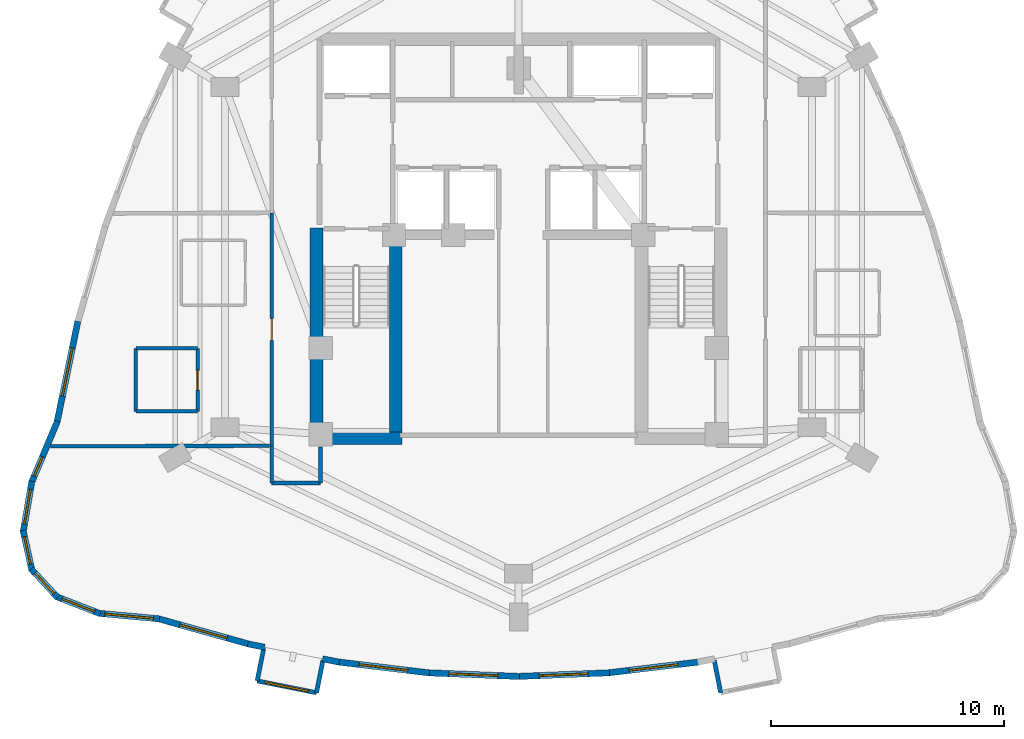
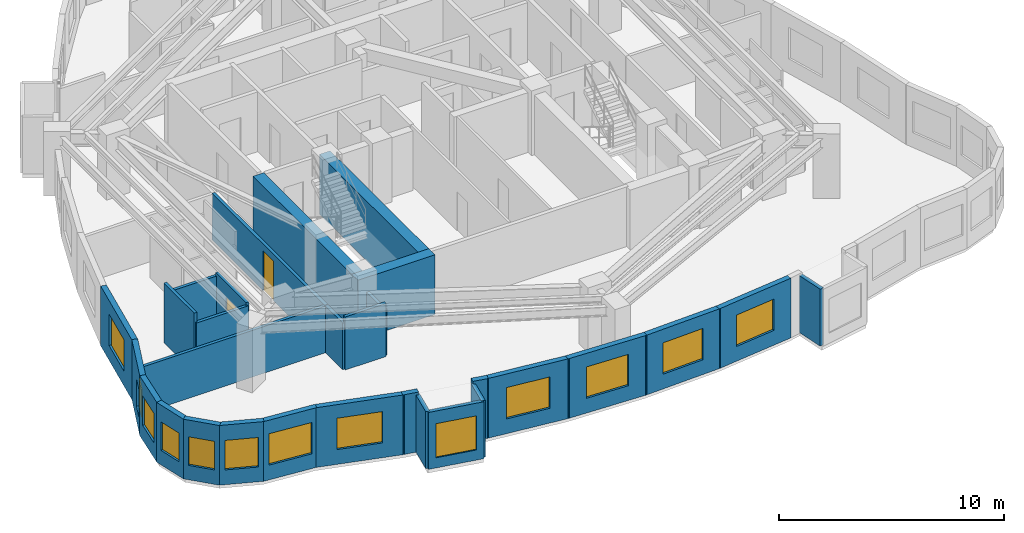
# One storey, part 5 of 10: 30 walls, 13 windows, 2 doors, 15 openings.
"""IFC4 building model written with IfcOpenShell, lengths in metres."""

from ifc_helpers import new_model, si_unit, direction, frame, frame_2d, origin, place, context, subcontext, project, spatial, rectangle, extrude, material, layer, layer_set, type_object, element, fill, save


model = new_model("IFC4")

# Units and contexts
model_context = context("Model", 3, precision=1e-05, world=origin(), true_north=direction((0.0, 1.0)))
body_context = subcontext(model_context, "Body", "Model", "MODEL_VIEW")
ifc_project = project(units=[si_unit("LENGTHUNIT", "METRE"), si_unit("AREAUNIT", "SQUARE_METRE"), si_unit("VOLUMEUNIT", "CUBIC_METRE"), si_unit("PLANEANGLEUNIT", "RADIAN"), si_unit("MASSUNIT", "GRAM", prefix="KILO")], contexts=[model_context])

# Site, building, storey
site_placement = place(None, origin())
site = spatial("IfcSite", under=ifc_project, at=site_placement, CompositionType="ELEMENT")
building_placement = place(site_placement, origin())
building = spatial("IfcBuilding", under=site, at=building_placement, Name="Miruveldt Soraemaru", CompositionType="ELEMENT")
storey_placement = place(building_placement, frame((0.0, 0.0, 166.89990234375)))
storey = spatial("IfcBuildingStorey", under=building, at=storey_placement, Name="L46", CompositionType="ELEMENT", Elevation=166.89990234375)

# Walls
ifc_material_1 = material(Name="White powder-coated aluminium EN AW-6060 T6", Category="aluminium")
ifc_layer_1 = layer(ifc_material_1, 0.18994140625, Name="White powder-coated aluminium EN AW-6060 T6", Category="aluminium")
ifc_layer_set_1 = layer_set([ifc_layer_1], Name="White powder-coated aluminium EN AW-6060 T6")
wall_type_1 = type_object("IfcWallType", Name="WALL-BAY-ALU190", PredefinedType="SOLIDWALL", material=ifc_layer_set_1)
wall_1_placement = place(storey_placement, frame((33.05517578125, 26.30322265625, 0.0), z_axis=(0.0, 0.0, 1.0), x_axis=(-0.196017281962, -0.980600441144, 0.0)))
element("IfcWall", 1, at=wall_1_placement, inside=storey, type_object=wall_type_1, Name="L46 Bay Window Side Cheek 2L", PredefinedType="SOLIDWALL", context=body_context, shape_type="SweptSolid", body=[
    extrude(rectangle(XDim=1.4248046875, YDim=0.18994140625, at=frame_2d((0.71240234375, 0.0))), origin(), (0.0, 0.0, 1.0), 3.085205078125),
])
wall_2_placement = place(storey_placement, frame((35.3251953125, 24.39599609375, 0.0), z_axis=(0.0, 0.0, 1.0), x_axis=(0.196149079112, 0.980574086321, 0.0)))
element("IfcWall", 2, at=wall_2_placement, inside=storey, type_object=wall_type_1, Name="L46 Bay Window Side Cheek 2R", PredefinedType="SOLIDWALL", context=body_context, shape_type="SweptSolid", body=[
    extrude(rectangle(XDim=1.425048828125, YDim=0.18994140625, at=frame_2d((0.71240234375, 0.0))), origin(), (0.0, 0.0, 1.0), 3.085205078125),
])

# Wall, opening, window
wall_3_placement = place(storey_placement, frame((32.77587890625, 24.906005859375, 0.0), z_axis=(0.0, 0.0, 1.0), x_axis=(0.980569838849, -0.196170311564, 0.0)))
wall_3 = element("IfcWall", 3, at=wall_3_placement, inside=storey, type_object=wall_type_1, Name="L46 Bay Window Front Frame 2", PredefinedType="SOLIDWALL", context=body_context, shape_type="SweptSolid", body=[
    extrude(rectangle(XDim=2.599853515625, YDim=0.18994140625, at=frame_2d((1.2998046875, 0.0))), origin(), (0.0, 0.0, 1.0), 3.085205078125),
])
opening_1_placement = place(wall_3_placement, frame((0.35009765625, 0.0, 0.550048828125)))
opening_1 = element("IfcOpeningElement", 4, at=opening_1_placement, cuts=wall_3, Name="Opening WN-6", PredefinedType="OPENING", context=body_context, shape_type="SweptSolid", body=[
    extrude(rectangle(XDim=1.89990234375, YDim=1.85009765625, at=frame_2d((0.949951171875, 0.925048828125))), frame((0.0, 0.10498046875, 0.0), z_axis=(0.0, -1.0, 0.0), x_axis=(1.0, 0.0, 0.0)), (0.0, 0.0, 1.0), 0.2099609375),
])
ifc_material_2 = material(Name="Triple low-e insulated glazing", Category="glass")
window_type_1 = type_object("IfcWindowType", Name="WIN-BAYW-1900x1850", PartitioningType="SINGLE_PANEL", PredefinedType="WINDOW", material=ifc_material_2)
window_1_placement = place(opening_1_placement, origin())
window_1 = element("IfcWindow", 5, at=window_1_placement, inside=storey, type_object=window_type_1, Name="L46 Projecting Bay Window 2", OverallHeight=1.85009765625, OverallWidth=1.89990234375, PartitioningType="SINGLE_PANEL", PredefinedType="WINDOW", context=body_context, shape_type="SweptSolid", body=[
    extrude(rectangle(XDim=1.89990234375, YDim=1.85009765625, at=frame_2d((0.949951171875, 0.925048828125))), frame((0.0, 0.030029296875, 0.0), z_axis=(0.0, -1.0, 0.0), x_axis=(1.0, 0.0, 0.0)), (0.0, 0.0, 1.0), 0.06005859375),
])
fill(opening_1, window_1)

# Walls
wall_4_placement = place(storey_placement, frame((52.395263671875, 25.79345703125, 0.0), z_axis=(0.0, 0.0, 1.0), x_axis=(0.196149079112, -0.980574086321, 0.0)))
element("IfcWall", 6, at=wall_4_placement, inside=storey, type_object=wall_type_1, Name="L46 Bay Window Side Cheek 3L", PredefinedType="SOLIDWALL", context=body_context, shape_type="SweptSolid", body=[
    extrude(rectangle(XDim=1.425048828125, YDim=0.18994140625, at=frame_2d((0.71240234375, 0.0))), origin(), (0.0, 0.0, 1.0), 3.085205078125),
])
ifc_material_3 = material(Name="Concrete C70/85 (70 MPa)", Category="concrete")
ifc_layer_2 = layer(ifc_material_3, 0.550048828125, Name="Concrete C70/85 (70 MPa)", Category="concrete")
ifc_layer_set_2 = layer_set([ifc_layer_2], Name="Concrete C70/85 (70 MPa)")
wall_type_2 = type_object("IfcWallType", Name="WALL-CW-550", PredefinedType="SHEAR", material=ifc_layer_set_2)
wall_5_placement = place(storey_placement, frame((35.050048828125, 35.324951171875, 0.0), z_axis=(0.0, 0.0, 1.0), x_axis=(1.0, 0.0, 0.0)))
element("IfcWall", 7, at=wall_5_placement, inside=storey, type_object=wall_type_2, Name="L46 Central Core Shear Wall S1", PredefinedType="SHEAR", context=body_context, shape_type="SweptSolid", body=[
    extrude(rectangle(XDim=3.949951171875, YDim=0.550048828125, at=frame_2d((1.97509765625, 0.0))), origin(), (0.0, 0.0, 1.0), 3.235107421875),
])
wall_6_placement = place(storey_placement, frame((35.324951171875, 35.050048828125, 0.0), z_axis=(0.0, 0.0, 1.0), x_axis=(0.0, 1.0, 0.0)))
element("IfcWall", 8, at=wall_6_placement, inside=storey, type_object=wall_type_2, Name="L46 Central Core Shear Wall W1", PredefinedType="SHEAR", context=body_context, shape_type="SweptSolid", body=[
    extrude(rectangle(XDim=9.300048828125, YDim=0.550048828125, at=frame_2d((4.64990234375, 0.0))), origin(), (0.0, 0.0, 1.0), 3.235107421875),
])
wall_7_placement = place(storey_placement, frame((38.72509765625, 35.39990234375, 0.0), z_axis=(0.0, 0.0, 1.0), x_axis=(0.0, 1.0, 0.0)))
element("IfcWall", 9, at=wall_7_placement, inside=storey, type_object=wall_type_2, Name="L46 Central Core Shear Wall SW-INT", PredefinedType="SHEAR", context=body_context, shape_type="SweptSolid", body=[
    extrude(rectangle(XDim=8.9501953125, YDim=0.550048828125, at=frame_2d((4.47509765625, 0.0))), origin(), (0.0, 0.0, 1.0), 3.235107421875),
])

# Wall, opening, window
ifc_material_4 = material(Name="Precast concrete C45/55 (45 MPa)", Category="concrete")
ifc_layer_3 = layer(ifc_material_4, 0.27001953125, Name="Precast concrete C45/55 (45 MPa)", Category="concrete")
ifc_layer_set_3 = layer_set([ifc_layer_3], Name="Precast concrete C45/55 (45 MPa)")
wall_type_3 = type_object("IfcWallType", Name="WALL-EXT-PC270", PredefinedType="SOLIDWALL", material=ifc_layer_set_3)
wall_8_placement = place(storey_placement, frame((25.076904296875, 40.347412109375, 0.0), z_axis=(0.0, 0.0, 1.0), x_axis=(-0.201580139361, -0.979472024825, 0.0)))
wall_8 = element("IfcWall", 10, at=wall_8_placement, inside=storey, type_object=wall_type_3, Name="L46 Precast Concrete Facade Wall 14", PredefinedType="SOLIDWALL", context=body_context, shape_type="SweptSolid", body=[
    extrude(rectangle(XDim=4.448486328125, YDim=0.27001953125, at=frame_2d((2.22412109375, 0.0))), origin(), (0.0, 0.0, 1.0), 3.235107421875),
])
opening_2_placement = place(wall_8_placement, frame((1.174072265625, 0.0, 0.800048828125)))
opening_2 = element("IfcOpeningElement", 11, at=opening_2_placement, cuts=wall_8, Name="Opening WN-1", PredefinedType="OPENING", context=body_context, shape_type="SweptSolid", body=[
    extrude(rectangle(XDim=2.10009765625, YDim=1.699951171875, at=frame_2d((1.050048828125, 0.85009765625))), frame((0.0, 0.14501953125, 0.0), z_axis=(0.0, -1.0, 0.0), x_axis=(1.0, 0.0, 0.0)), (0.0, 0.0, 1.0), 0.2900390625),
])
window_type_2 = type_object("IfcWindowType", Name="WIN-PUNCH-2100x1700", PartitioningType="SINGLE_PANEL", PredefinedType="WINDOW", material=ifc_material_2)
window_2_placement = place(opening_2_placement, origin())
window_2 = element("IfcWindow", 12, at=window_2_placement, inside=storey, type_object=window_type_2, Name="L46 Punched Triple-Glazed Window 14.1", OverallHeight=1.699951171875, OverallWidth=2.10009765625, PartitioningType="SINGLE_PANEL", PredefinedType="WINDOW", context=body_context, shape_type="SweptSolid", body=[
    extrude(rectangle(XDim=2.10009765625, YDim=1.699951171875, at=frame_2d((1.050048828125, 0.85009765625))), frame((0.0, 0.030029296875, 0.0), z_axis=(0.0, -1.0, 0.0), x_axis=(1.0, 0.0, 0.0)), (0.0, 0.0, 1.0), 0.06005859375),
])
fill(opening_2, window_2)

wall_9_placement = place(storey_placement, frame((24.200927734375, 36.056640625, 0.0), z_axis=(0.0, 0.0, 1.0), x_axis=(-0.388641898972, -0.921388883351, 0.0)))
wall_9 = element("IfcWall", 13, at=wall_9_placement, inside=storey, type_object=wall_type_3, Name="L46 Precast Concrete Facade Wall 15", PredefinedType="SOLIDWALL", context=body_context, shape_type="SweptSolid", body=[
    extrude(rectangle(XDim=2.873291015625, YDim=0.27001953125, at=frame_2d((1.4365234375, 0.0))), origin(), (0.0, 0.0, 1.0), 3.235107421875),
])
opening_3_placement = place(wall_9_placement, frame((1.660888671875, 0.0, 0.780029296875)))
opening_3 = element("IfcOpeningElement", 14, at=opening_3_placement, cuts=wall_9, Name="Opening WN-7", PredefinedType="OPENING", context=body_context, shape_type="SweptSolid", body=[
    extrude(rectangle(XDim=0.89990234375, YDim=1.5, at=frame_2d((0.449951171875, 0.75))), frame((0.0, 0.14501953125, 0.0), z_axis=(0.0, -1.0, 0.0), x_axis=(1.0, 0.0, 0.0)), (0.0, 0.0, 1.0), 0.2900390625),
])
window_type_3 = type_object("IfcWindowType", Name="WIN-PUNCH-900x1500", PartitioningType="SINGLE_PANEL", PredefinedType="WINDOW", material=ifc_material_2)
window_3_placement = place(opening_3_placement, origin())
window_3 = element("IfcWindow", 15, at=window_3_placement, inside=storey, type_object=window_type_3, Name="L46 Punched Triple-Glazed Window 15.1", OverallHeight=1.5, OverallWidth=0.89990234375, PartitioningType="SINGLE_PANEL", PredefinedType="WINDOW", context=body_context, shape_type="SweptSolid", body=[
    extrude(rectangle(XDim=0.89990234375, YDim=1.5, at=frame_2d((0.449951171875, 0.75))), frame((0.0, 0.030029296875, 0.0), z_axis=(0.0, -1.0, 0.0), x_axis=(1.0, 0.0, 0.0)), (0.0, 0.0, 1.0), 0.06005859375),
])
fill(opening_3, window_3)

wall_10_placement = place(storey_placement, frame((23.103759765625, 33.475830078125, 0.0), z_axis=(0.0, 0.0, 1.0), x_axis=(-0.169330983726, -0.985559241218, 0.0)))
wall_10 = element("IfcWall", 16, at=wall_10_placement, inside=storey, type_object=wall_type_3, Name="L46 Precast Concrete Facade Wall 16", PredefinedType="SOLIDWALL", context=body_context, shape_type="SweptSolid", body=[
    extrude(rectangle(XDim=2.214599609375, YDim=0.27001953125, at=frame_2d((1.107421875, 0.0))), origin(), (0.0, 0.0, 1.0), 3.235107421875),
])
opening_4_placement = place(wall_10_placement, frame((0.35693359375, 0.0, 0.800048828125)))
opening_4 = element("IfcOpeningElement", 17, at=opening_4_placement, cuts=wall_10, Name="Opening WN-3", PredefinedType="OPENING", context=body_context, shape_type="SweptSolid", body=[
    extrude(rectangle(XDim=1.5, YDim=1.60009765625, at=frame_2d((0.75, 0.800048828125))), frame((0.0, 0.14501953125, 0.0), z_axis=(0.0, -1.0, 0.0), x_axis=(1.0, 0.0, 0.0)), (0.0, 0.0, 1.0), 0.2900390625),
])
window_type_4 = type_object("IfcWindowType", Name="WIN-PUNCH-1500x1600", PartitioningType="SINGLE_PANEL", PredefinedType="WINDOW", material=ifc_material_2)
window_4_placement = place(opening_4_placement, origin())
window_4 = element("IfcWindow", 18, at=window_4_placement, inside=storey, type_object=window_type_4, Name="L46 Punched Triple-Glazed Window 16.1", OverallHeight=1.60009765625, OverallWidth=1.5, PartitioningType="SINGLE_PANEL", PredefinedType="WINDOW", context=body_context, shape_type="SweptSolid", body=[
    extrude(rectangle(XDim=1.5, YDim=1.60009765625, at=frame_2d((0.75, 0.800048828125))), frame((0.0, 0.030029296875, 0.0), z_axis=(0.0, -1.0, 0.0), x_axis=(1.0, 0.0, 0.0)), (0.0, 0.0, 1.0), 0.06005859375),
])
fill(opening_4, window_4)

wall_11_placement = place(storey_placement, frame((22.72705078125, 31.362060546875, 0.0), z_axis=(0.0, 0.0, 1.0), x_axis=(0.215809905257, -0.976435397142, 0.0)))
wall_11 = element("IfcWall", 19, at=wall_11_placement, inside=storey, type_object=wall_type_3, Name="L46 Precast Concrete Facade Wall 17", PredefinedType="SOLIDWALL", context=body_context, shape_type="SweptSolid", body=[
    extrude(rectangle(XDim=1.75341796875, YDim=0.27001953125, at=frame_2d((0.876708984375, 0.0))), origin(), (0.0, 0.0, 1.0), 3.235107421875),
])
opening_5_placement = place(wall_11_placement, frame((0.277099609375, 0.0, 0.780029296875)))
opening_5 = element("IfcOpeningElement", 20, at=opening_5_placement, cuts=wall_11, Name="Opening WN-4", PredefinedType="OPENING", context=body_context, shape_type="SweptSolid", body=[
    extrude(rectangle(XDim=1.199951171875, YDim=1.550048828125, at=frame_2d((0.60009765625, 0.77490234375))), frame((0.0, 0.14501953125, 0.0), z_axis=(0.0, -1.0, 0.0), x_axis=(1.0, 0.0, 0.0)), (0.0, 0.0, 1.0), 0.2900390625),
])
window_type_5 = type_object("IfcWindowType", Name="WIN-PUNCH-1200x1550", PartitioningType="SINGLE_PANEL", PredefinedType="WINDOW", material=ifc_material_2)
window_5_placement = place(opening_5_placement, origin())
window_5 = element("IfcWindow", 21, at=window_5_placement, inside=storey, type_object=window_type_5, Name="L46 Punched Triple-Glazed Window 17.1", OverallHeight=1.550048828125, OverallWidth=1.199951171875, PartitioningType="SINGLE_PANEL", PredefinedType="WINDOW", context=body_context, shape_type="SweptSolid", body=[
    extrude(rectangle(XDim=1.199951171875, YDim=1.550048828125, at=frame_2d((0.60009765625, 0.77490234375))), frame((0.0, 0.030029296875, 0.0), z_axis=(0.0, -1.0, 0.0), x_axis=(1.0, 0.0, 0.0)), (0.0, 0.0, 1.0), 0.06005859375),
])
fill(opening_5, window_5)

wall_12_placement = place(storey_placement, frame((23.073974609375, 29.709716796875, 0.0), z_axis=(0.0, 0.0, 1.0), x_axis=(0.680182208432, -0.733043084227, 0.0)))
wall_12 = element("IfcWall", 22, at=wall_12_placement, inside=storey, type_object=wall_type_3, Name="L46 Precast Concrete Facade Wall 18", PredefinedType="SOLIDWALL", context=body_context, shape_type="SweptSolid", body=[
    extrude(rectangle(XDim=1.671875, YDim=0.27001953125, at=frame_2d((0.8359375, 0.0))), origin(), (0.0, 0.0, 1.0), 3.235107421875),
])
opening_6_placement = place(wall_12_placement, frame((0.236083984375, 0.0, 0.780029296875)))
opening_6 = element("IfcOpeningElement", 23, at=opening_6_placement, cuts=wall_12, Name="Opening WN-4", PredefinedType="OPENING", context=body_context, shape_type="SweptSolid", body=[
    extrude(rectangle(XDim=1.199951171875, YDim=1.550048828125, at=frame_2d((0.60009765625, 0.77490234375))), frame((0.0, 0.14501953125, 0.0), z_axis=(0.0, -1.0, 0.0), x_axis=(1.0, 0.0, 0.0)), (0.0, 0.0, 1.0), 0.2900390625),
])
window_6_placement = place(opening_6_placement, origin())
window_6 = element("IfcWindow", 24, at=window_6_placement, inside=storey, type_object=window_type_5, Name="L46 Punched Triple-Glazed Window 18.1", OverallHeight=1.550048828125, OverallWidth=1.199951171875, PartitioningType="SINGLE_PANEL", PredefinedType="WINDOW", context=body_context, shape_type="SweptSolid", body=[
    extrude(rectangle(XDim=1.199951171875, YDim=1.550048828125, at=frame_2d((0.60009765625, 0.77490234375))), frame((0.0, 0.030029296875, 0.0), z_axis=(0.0, -1.0, 0.0), x_axis=(1.0, 0.0, 0.0)), (0.0, 0.0, 1.0), 0.06005859375),
])
fill(opening_6, window_6)

wall_13_placement = place(storey_placement, frame((24.15478515625, 28.5224609375, 0.0), z_axis=(0.0, 0.0, 1.0), x_axis=(0.932249719416, -0.361815506367, 0.0)))
wall_13 = element("IfcWall", 25, at=wall_13_placement, inside=storey, type_object=wall_type_3, Name="L46 Precast Concrete Facade Wall 19", PredefinedType="SOLIDWALL", context=body_context, shape_type="SweptSolid", body=[
    extrude(rectangle(XDim=2.017578125, YDim=0.27001953125, at=frame_2d((1.0087890625, 0.0))), origin(), (0.0, 0.0, 1.0), 3.235107421875),
])
opening_7_placement = place(wall_13_placement, frame((0.259033203125, 0.0, 0.800048828125)))
opening_7 = element("IfcOpeningElement", 26, at=opening_7_placement, cuts=wall_13, Name="Opening WN-3", PredefinedType="OPENING", context=body_context, shape_type="SweptSolid", body=[
    extrude(rectangle(XDim=1.5, YDim=1.60009765625, at=frame_2d((0.75, 0.800048828125))), frame((0.0, 0.14501953125, 0.0), z_axis=(0.0, -1.0, 0.0), x_axis=(1.0, 0.0, 0.0)), (0.0, 0.0, 1.0), 0.2900390625),
])
window_7_placement = place(opening_7_placement, origin())
window_7 = element("IfcWindow", 27, at=window_7_placement, inside=storey, type_object=window_type_4, Name="L46 Punched Triple-Glazed Window 19.1", OverallHeight=1.60009765625, OverallWidth=1.5, PartitioningType="SINGLE_PANEL", PredefinedType="WINDOW", context=body_context, shape_type="SweptSolid", body=[
    extrude(rectangle(XDim=1.5, YDim=1.60009765625, at=frame_2d((0.75, 0.800048828125))), frame((0.0, 0.030029296875, 0.0), z_axis=(0.0, -1.0, 0.0), x_axis=(1.0, 0.0, 0.0)), (0.0, 0.0, 1.0), 0.06005859375),
])
fill(opening_7, window_7)

wall_14_placement = place(storey_placement, frame((25.96826171875, 27.80859375, 0.0), z_axis=(0.0, 0.0, 1.0), x_axis=(0.995762483842, -0.091962360632, 0.0)))
wall_14 = element("IfcWall", 28, at=wall_14_placement, inside=storey, type_object=wall_type_3, Name="L46 Precast Concrete Facade Wall 20", PredefinedType="SOLIDWALL", context=body_context, shape_type="SweptSolid", body=[
    extrude(rectangle(XDim=2.623046875, YDim=0.27001953125, at=frame_2d((1.3115234375, 0.0))), origin(), (0.0, 0.0, 1.0), 3.235107421875),
])
opening_8_placement = place(wall_14_placement, frame((0.261962890625, 0.0, 0.800048828125)))
opening_8 = element("IfcOpeningElement", 29, at=opening_8_placement, cuts=wall_14, Name="Opening WN-1", PredefinedType="OPENING", context=body_context, shape_type="SweptSolid", body=[
    extrude(rectangle(XDim=2.10009765625, YDim=1.699951171875, at=frame_2d((1.050048828125, 0.85009765625))), frame((0.0, 0.14501953125, 0.0), z_axis=(0.0, -1.0, 0.0), x_axis=(1.0, 0.0, 0.0)), (0.0, 0.0, 1.0), 0.2900390625),
])
window_8_placement = place(opening_8_placement, origin())
window_8 = element("IfcWindow", 30, at=window_8_placement, inside=storey, type_object=window_type_2, Name="L46 Punched Triple-Glazed Window 20.1", OverallHeight=1.699951171875, OverallWidth=2.10009765625, PartitioningType="SINGLE_PANEL", PredefinedType="WINDOW", context=body_context, shape_type="SweptSolid", body=[
    extrude(rectangle(XDim=2.10009765625, YDim=1.699951171875, at=frame_2d((1.050048828125, 0.85009765625))), frame((0.0, 0.030029296875, 0.0), z_axis=(0.0, -1.0, 0.0), x_axis=(1.0, 0.0, 0.0)), (0.0, 0.0, 1.0), 0.06005859375),
])
fill(opening_8, window_8)

wall_15_placement = place(storey_placement, frame((28.51171875, 27.579833984375, 0.0), z_axis=(0.0, 0.0, 1.0), x_axis=(0.962968367647, -0.269614396705, 0.0)))
wall_15 = element("IfcWall", 31, at=wall_15_placement, inside=storey, type_object=wall_type_3, Name="L46 Precast Concrete Facade Wall 21", PredefinedType="SOLIDWALL", context=body_context, shape_type="SweptSolid", body=[
    extrude(rectangle(XDim=4.08203125, YDim=0.27001953125, at=frame_2d((2.041015625, 0.0))), origin(), (0.0, 0.0, 1.0), 3.235107421875),
])
opening_9_placement = place(wall_15_placement, frame((0.990966796875, 0.0, 0.800048828125)))
opening_9 = element("IfcOpeningElement", 32, at=opening_9_placement, cuts=wall_15, Name="Opening WN-1", PredefinedType="OPENING", context=body_context, shape_type="SweptSolid", body=[
    extrude(rectangle(XDim=2.10009765625, YDim=1.699951171875, at=frame_2d((1.050048828125, 0.85009765625))), frame((0.0, 0.14501953125, 0.0), z_axis=(0.0, -1.0, 0.0), x_axis=(1.0, 0.0, 0.0)), (0.0, 0.0, 1.0), 0.2900390625),
])
window_9_placement = place(opening_9_placement, origin())
window_9 = element("IfcWindow", 33, at=window_9_placement, inside=storey, type_object=window_type_2, Name="L46 Punched Triple-Glazed Window 21.1", OverallHeight=1.699951171875, OverallWidth=2.10009765625, PartitioningType="SINGLE_PANEL", PredefinedType="WINDOW", context=body_context, shape_type="SweptSolid", body=[
    extrude(rectangle(XDim=2.10009765625, YDim=1.699951171875, at=frame_2d((1.050048828125, 0.85009765625))), frame((0.0, 0.030029296875, 0.0), z_axis=(0.0, -1.0, 0.0), x_axis=(1.0, 0.0, 0.0)), (0.0, 0.0, 1.0), 0.06005859375),
])
fill(opening_9, window_9)

# Walls
wall_16_placement = place(storey_placement, frame((32.37451171875, 26.49560546875, 0.0), z_axis=(0.0, 0.0, 1.0), x_axis=(0.980555124768, -0.196243846508, 0.0)))
element("IfcWall", 34, at=wall_16_placement, inside=storey, type_object=wall_type_3, Name="L46 Precast Pier Wall 22A", PredefinedType="SOLIDWALL", context=body_context, shape_type="SweptSolid", body=[
    extrude(rectangle(XDim=0.7353515625, YDim=0.27001953125, at=frame_2d((0.36767578125, 0.0))), origin(), (0.0, 0.0, 1.0), 3.235107421875),
])
wall_17_placement = place(storey_placement, frame((35.586181640625, 25.853271484375, 0.0), z_axis=(0.0, 0.0, 1.0), x_axis=(0.980542330577, -0.196307763337, 0.0)))
element("IfcWall", 35, at=wall_17_placement, inside=storey, type_object=wall_type_3, Name="L46 Precast Pier Wall 22B", PredefinedType="SOLIDWALL", context=body_context, shape_type="SweptSolid", body=[
    extrude(rectangle(XDim=0.735107421875, YDim=0.27001953125, at=frame_2d((0.36767578125, 0.0))), origin(), (0.0, 0.0, 1.0), 3.235107421875),
])

# Wall, opening, window
wall_18_placement = place(storey_placement, frame((36.23779296875, 25.72021484375, 0.0), z_axis=(0.0, 0.0, 1.0), x_axis=(0.992871880254, -0.11918653196, 0.0)))
wall_18 = element("IfcWall", 36, at=wall_18_placement, inside=storey, type_object=wall_type_3, Name="L46 Precast Concrete Facade Wall 23", PredefinedType="SOLIDWALL", context=body_context, shape_type="SweptSolid", body=[
    extrude(rectangle(XDim=3.961669921875, YDim=0.27001953125, at=frame_2d((1.98095703125, 0.0))), origin(), (0.0, 0.0, 1.0), 3.235107421875),
])
opening_10_placement = place(wall_18_placement, frame((0.930908203125, 0.0, 0.800048828125)))
opening_10 = element("IfcOpeningElement", 37, at=opening_10_placement, cuts=wall_18, Name="Opening WN-1", PredefinedType="OPENING", context=body_context, shape_type="SweptSolid", body=[
    extrude(rectangle(XDim=2.10009765625, YDim=1.699951171875, at=frame_2d((1.050048828125, 0.85009765625))), frame((0.0, 0.14501953125, 0.0), z_axis=(0.0, -1.0, 0.0), x_axis=(1.0, 0.0, 0.0)), (0.0, 0.0, 1.0), 0.2900390625),
])
window_10_placement = place(opening_10_placement, origin())
window_10 = element("IfcWindow", 38, at=window_10_placement, inside=storey, type_object=window_type_2, Name="L46 Punched Triple-Glazed Window 23.1", OverallHeight=1.699951171875, OverallWidth=2.10009765625, PartitioningType="SINGLE_PANEL", PredefinedType="WINDOW", context=body_context, shape_type="SweptSolid", body=[
    extrude(rectangle(XDim=2.10009765625, YDim=1.699951171875, at=frame_2d((1.050048828125, 0.85009765625))), frame((0.0, 0.030029296875, 0.0), z_axis=(0.0, -1.0, 0.0), x_axis=(1.0, 0.0, 0.0)), (0.0, 0.0, 1.0), 0.06005859375),
])
fill(opening_10, window_10)

wall_19_placement = place(storey_placement, frame((40.101318359375, 25.253662109375, 0.0), z_axis=(0.0, 0.0, 1.0), x_axis=(0.999199670334, -0.040000235065, 0.0)))
wall_19 = element("IfcWall", 39, at=wall_19_placement, inside=storey, type_object=wall_type_3, Name="L46 Precast Concrete Facade Wall 24", PredefinedType="SOLIDWALL", context=body_context, shape_type="SweptSolid", body=[
    extrude(rectangle(XDim=3.936767578125, YDim=0.27001953125, at=frame_2d((1.96826171875, 0.0))), origin(), (0.0, 0.0, 1.0), 3.235107421875),
])
opening_11_placement = place(wall_19_placement, frame((0.9189453125, 0.0, 0.800048828125)))
opening_11 = element("IfcOpeningElement", 40, at=opening_11_placement, cuts=wall_19, Name="Opening WN-1", PredefinedType="OPENING", context=body_context, shape_type="SweptSolid", body=[
    extrude(rectangle(XDim=2.10009765625, YDim=1.699951171875, at=frame_2d((1.050048828125, 0.85009765625))), frame((0.0, 0.14501953125, 0.0), z_axis=(0.0, -1.0, 0.0), x_axis=(1.0, 0.0, 0.0)), (0.0, 0.0, 1.0), 0.2900390625),
])
window_11_placement = place(opening_11_placement, origin())
window_11 = element("IfcWindow", 41, at=window_11_placement, inside=storey, type_object=window_type_2, Name="L46 Punched Triple-Glazed Window 24.1", OverallHeight=1.699951171875, OverallWidth=2.10009765625, PartitioningType="SINGLE_PANEL", PredefinedType="WINDOW", context=body_context, shape_type="SweptSolid", body=[
    extrude(rectangle(XDim=2.10009765625, YDim=1.699951171875, at=frame_2d((1.050048828125, 0.85009765625))), frame((0.0, 0.030029296875, 0.0), z_axis=(0.0, -1.0, 0.0), x_axis=(1.0, 0.0, 0.0)), (0.0, 0.0, 1.0), 0.06005859375),
])
fill(opening_11, window_11)

wall_20_placement = place(storey_placement, frame((43.965087890625, 25.09619140625, 0.0), z_axis=(0.0, 0.0, 1.0), x_axis=(0.999199670334, 0.040000235065, 0.0)))
wall_20 = element("IfcWall", 42, at=wall_20_placement, inside=storey, type_object=wall_type_3, Name="L46 Precast Concrete Facade Wall 25", PredefinedType="SOLIDWALL", context=body_context, shape_type="SweptSolid", body=[
    extrude(rectangle(XDim=3.936767578125, YDim=0.27001953125, at=frame_2d((1.96826171875, 0.0))), origin(), (0.0, 0.0, 1.0), 3.235107421875),
])
opening_12_placement = place(wall_20_placement, frame((0.9189453125, 0.0, 0.800048828125)))
opening_12 = element("IfcOpeningElement", 43, at=opening_12_placement, cuts=wall_20, Name="Opening WN-1", PredefinedType="OPENING", context=body_context, shape_type="SweptSolid", body=[
    extrude(rectangle(XDim=2.10009765625, YDim=1.699951171875, at=frame_2d((1.050048828125, 0.85009765625))), frame((0.0, 0.14501953125, 0.0), z_axis=(0.0, -1.0, 0.0), x_axis=(1.0, 0.0, 0.0)), (0.0, 0.0, 1.0), 0.2900390625),
])
window_12_placement = place(opening_12_placement, origin())
window_12 = element("IfcWindow", 44, at=window_12_placement, inside=storey, type_object=window_type_2, Name="L46 Punched Triple-Glazed Window 25.1", OverallHeight=1.699951171875, OverallWidth=2.10009765625, PartitioningType="SINGLE_PANEL", PredefinedType="WINDOW", context=body_context, shape_type="SweptSolid", body=[
    extrude(rectangle(XDim=2.10009765625, YDim=1.699951171875, at=frame_2d((1.050048828125, 0.85009765625))), frame((0.0, 0.030029296875, 0.0), z_axis=(0.0, -1.0, 0.0), x_axis=(1.0, 0.0, 0.0)), (0.0, 0.0, 1.0), 0.06005859375),
])
fill(opening_12, window_12)

wall_21_placement = place(storey_placement, frame((47.828857421875, 25.248046875, 0.0), z_axis=(0.0, 0.0, 1.0), x_axis=(0.992871880254, 0.11918653196, 0.0)))
wall_21 = element("IfcWall", 45, at=wall_21_placement, inside=storey, type_object=wall_type_3, Name="L46 Precast Concrete Facade Wall 26", PredefinedType="SOLIDWALL", context=body_context, shape_type="SweptSolid", body=[
    extrude(rectangle(XDim=3.961669921875, YDim=0.27001953125, at=frame_2d((1.98095703125, 0.0))), origin(), (0.0, 0.0, 1.0), 3.235107421875),
])
opening_13_placement = place(wall_21_placement, frame((0.930908203125, 0.0, 0.800048828125)))
opening_13 = element("IfcOpeningElement", 46, at=opening_13_placement, cuts=wall_21, Name="Opening WN-1", PredefinedType="OPENING", context=body_context, shape_type="SweptSolid", body=[
    extrude(rectangle(XDim=2.10009765625, YDim=1.699951171875, at=frame_2d((1.050048828125, 0.85009765625))), frame((0.0, 0.14501953125, 0.0), z_axis=(0.0, -1.0, 0.0), x_axis=(1.0, 0.0, 0.0)), (0.0, 0.0, 1.0), 0.2900390625),
])
window_13_placement = place(opening_13_placement, origin())
window_13 = element("IfcWindow", 47, at=window_13_placement, inside=storey, type_object=window_type_2, Name="L46 Punched Triple-Glazed Window 26.1", OverallHeight=1.699951171875, OverallWidth=2.10009765625, PartitioningType="SINGLE_PANEL", PredefinedType="WINDOW", context=body_context, shape_type="SweptSolid", body=[
    extrude(rectangle(XDim=2.10009765625, YDim=1.699951171875, at=frame_2d((1.050048828125, 0.85009765625))), frame((0.0, 0.030029296875, 0.0), z_axis=(0.0, -1.0, 0.0), x_axis=(1.0, 0.0, 0.0)), (0.0, 0.0, 1.0), 0.06005859375),
])
fill(opening_13, window_13)

# Wall, opening, door
ifc_material_5 = material(Name="Gypsum plasterboard lining", Category="gypsum")
ifc_layer_4 = layer(ifc_material_5, 0.14990234375, Name="Gypsum plasterboard lining", Category="gypsum")
ifc_layer_set_4 = layer_set([ifc_layer_4], Name="Gypsum plasterboard lining")
wall_type_4 = type_object("IfcWallType", Name="WALL-INT-PLUMB", PredefinedType="PLUMBINGWALL", material=ifc_layer_set_4)
wall_22_placement = place(storey_placement, frame((30.216064453125, 36.47998046875, 0.0), z_axis=(0.0, 0.0, 1.0), x_axis=(0.0, 1.0, 0.0)))
wall_22 = element("IfcWall", 48, at=wall_22_placement, inside=storey, type_object=wall_type_4, Name="L46 Partition Wall 34", PredefinedType="PLUMBINGWALL", context=body_context, shape_type="SweptSolid", body=[
    extrude(rectangle(XDim=2.699951171875, YDim=0.14990234375, at=frame_2d((1.35009765625, 0.0))), origin(), (0.0, 0.0, 1.0), 2.873046875),
])
opening_14_placement = place(wall_22_placement, frame((0.909912109375, 0.0, 0.0)))
opening_14 = element("IfcOpeningElement", 49, at=opening_14_placement, cuts=wall_22, Name="Opening FD3", PredefinedType="OPENING", context=body_context, shape_type="SweptSolid", body=[
    extrude(rectangle(XDim=0.85009765625, YDim=2.10009765625, at=frame_2d((0.425048828125, 1.050048828125))), frame((0.0, 0.0849609375, 0.0), z_axis=(0.0, -1.0, 0.0), x_axis=(1.0, 0.0, 0.0)), (0.0, 0.0, 1.0), 0.169921875),
])
ifc_material_6 = material(Name="Anodised aluminium EN AW-6063 T6", Category="aluminium")
door_type_1 = type_object("IfcDoorType", Name="DOOR-FD3-850", OperationType="NOTDEFINED", PredefinedType="DOOR", material=ifc_material_6)
door_1_placement = place(opening_14_placement, origin())
door_1 = element("IfcDoor", 50, at=door_1_placement, inside=storey, type_object=door_type_1, Name="L46 Unit 4604 BTH Door", OperationType="SINGLE_SWING_RIGHT", OverallHeight=2.10009765625, OverallWidth=0.85009765625, PredefinedType="DOOR", context=body_context, shape_type="SweptSolid", body=[
    extrude(rectangle(XDim=0.85009765625, YDim=2.10009765625, at=frame_2d((0.425048828125, 1.050048828125))), frame((0.0, 0.02490234375, 0.0), z_axis=(0.0, -1.0, 0.0), x_axis=(1.0, 0.0, 0.0)), (0.0, 0.0, 1.0), 0.050048828125),
])
fill(opening_14, door_1)

# Walls
wall_23_placement = place(storey_placement, frame((27.56591796875, 39.179931640625, 0.0), z_axis=(0.0, 0.0, 1.0), x_axis=(0.0, -1.0, 0.0)))
element("IfcWall", 51, at=wall_23_placement, inside=storey, type_object=wall_type_4, Name="L46 Partition Wall 36", PredefinedType="PLUMBINGWALL", context=body_context, shape_type="SweptSolid", body=[
    extrude(rectangle(XDim=2.699951171875, YDim=0.14990234375, at=frame_2d((1.35009765625, 0.0))), origin(), (0.0, 0.0, 1.0), 3.235107421875),
])
for number, where, z_axis, x_axis, name in (
    (52, (30.216064453125, 39.179931640625, 0.0), (0.0, 0.0, 1.0), (-1.0, 0.0, 0.0), "L46 Partition Wall 35"),
    (53, (27.56591796875, 36.47998046875, 0.0), (0.0, 0.0, 1.0), (1.0, 0.0, 0.0), "L46 Partition Wall 37"),
):
    element("IfcWall", number, at=place(storey_placement, frame(where, z_axis=z_axis, x_axis=x_axis)), inside=storey, type_object=wall_type_4, Name=name, PredefinedType="PLUMBINGWALL", context=body_context, shape_type="SweptSolid", body=[
        extrude(rectangle(XDim=2.650146484375, YDim=0.14990234375, at=frame_2d((1.3251953125, 0.0))), origin(), (0.0, 0.0, 1.0), 2.72314453125),
    ])

# Wall, opening, door
ifc_material_7 = material(Name="Concrete C40/50 (40 MPa)", Category="concrete")
ifc_layer_5 = layer(ifc_material_7, 0.159912109375, Name="Concrete C40/50 (40 MPa)", Category="concrete")
ifc_layer_set_5 = layer_set([ifc_layer_5], Name="Concrete C40/50 (40 MPa)")
wall_type_5 = type_object("IfcWallType", Name="WALL-INT-RC160", PredefinedType="SOLIDWALL", material=ifc_layer_set_5)
wall_24_placement = place(storey_placement, frame((33.39990234375, 45.0, 0.0), z_axis=(0.0, 0.0, 1.0), x_axis=(0.0, -1.0, 0.0)))
wall_24 = element("IfcWall", 54, at=wall_24_placement, inside=storey, type_object=wall_type_5, Name="L46 Partition Wall 4", PredefinedType="SOLIDWALL", context=body_context, shape_type="SweptSolid", body=[
    extrude(rectangle(XDim=10.0, YDim=0.159912109375, at=frame_2d((5.0, 0.0))), origin(), (0.0, 0.0, 1.0), 2.523193359375),
])
opening_15_placement = place(wall_24_placement, frame((4.52490234375, 0.0, 0.0)))
opening_15 = element("IfcOpeningElement", 55, at=opening_15_placement, cuts=wall_24, Name="Opening FD2", PredefinedType="OPENING", context=body_context, shape_type="SweptSolid", body=[
    extrude(rectangle(XDim=0.949951171875, YDim=2.14990234375, at=frame_2d((0.47509765625, 1.074951171875))), frame((0.0, 0.08984375, 0.0), z_axis=(0.0, -1.0, 0.0), x_axis=(1.0, 0.0, 0.0)), (0.0, 0.0, 1.0), 0.179931640625),
])
door_type_2 = type_object("IfcDoorType", Name="DOOR-FD2-950", OperationType="NOTDEFINED", PredefinedType="DOOR", material=ifc_material_6)
door_2_placement = place(opening_15_placement, origin())
door_2 = element("IfcDoor", 56, at=door_2_placement, inside=storey, type_object=door_type_2, Name="L46 Unit 4604 Entrance Fire Door", OperationType="SINGLE_SWING_LEFT", OverallHeight=2.14990234375, OverallWidth=0.949951171875, PredefinedType="DOOR", context=body_context, shape_type="SweptSolid", body=[
    extrude(rectangle(XDim=0.949951171875, YDim=2.14990234375, at=frame_2d((0.47509765625, 1.074951171875))), frame((0.0, 0.02490234375, 0.0), z_axis=(0.0, -1.0, 0.0), x_axis=(1.0, 0.0, 0.0)), (0.0, 0.0, 1.0), 0.050048828125),
])
fill(opening_15, door_2)

# Walls
wall_25_placement = place(storey_placement, frame((23.907958984375, 34.97607421875, 0.0), z_axis=(0.0, 0.0, 1.0), x_axis=(0.999996763542, 0.002544190733, 0.0)))
element("IfcWall", 57, at=wall_25_placement, inside=storey, type_object=wall_type_5, Name="L46 Partition Wall 42", PredefinedType="SOLIDWALL", context=body_context, shape_type="SweptSolid", body=[
    extrude(rectangle(XDim=9.404052734375, YDim=0.159912109375, at=frame_2d((4.7021484375, 0.0))), origin(), (0.0, 0.0, 1.0), 2.523193359375),
])
wall_26_placement = place(storey_placement, frame((33.39990234375, 33.39990234375, 0.0), z_axis=(0.0, 0.0, 1.0), x_axis=(1.0, 0.0, 0.0)))
element("IfcWall", 58, at=wall_26_placement, inside=storey, type_object=wall_type_5, Name="L46 Partition Wall 7", PredefinedType="SOLIDWALL", context=body_context, shape_type="SweptSolid", body=[
    extrude(rectangle(XDim=2.10009765625, YDim=0.159912109375, at=frame_2d((1.050048828125, 0.0))), origin(), (0.0, 0.0, 1.0), 2.873046875),
])
wall_27_placement = place(storey_placement, frame((33.39990234375, 34.991943359375, 0.0), z_axis=(0.0, 0.0, 1.0), x_axis=(0.0, -1.0, 0.0)))
element("IfcWall", 59, at=wall_27_placement, inside=storey, type_object=wall_type_5, Name="L46 Partition Wall 6", PredefinedType="SOLIDWALL", context=body_context, shape_type="SweptSolid", body=[
    extrude(rectangle(XDim=1.592041015625, YDim=0.159912109375, at=frame_2d((0.7958984375, 0.0))), origin(), (0.0, 0.0, 1.0), 2.523193359375),
])
wall_28_placement = place(storey_placement, frame((35.5, 33.39990234375, 0.0), z_axis=(0.0, 0.0, 1.0), x_axis=(0.0, 1.0, 0.0)))
element("IfcWall", 60, at=wall_28_placement, inside=storey, type_object=wall_type_5, Name="L46 Partition Wall 8", PredefinedType="SOLIDWALL", context=body_context, shape_type="SweptSolid", body=[
    extrude(rectangle(XDim=1.5419921875, YDim=0.159912109375, at=frame_2d((0.77099609375, 0.0))), origin(), (0.0, 0.0, 1.0), 2.523193359375),
])

save(model, "model.ifc")
